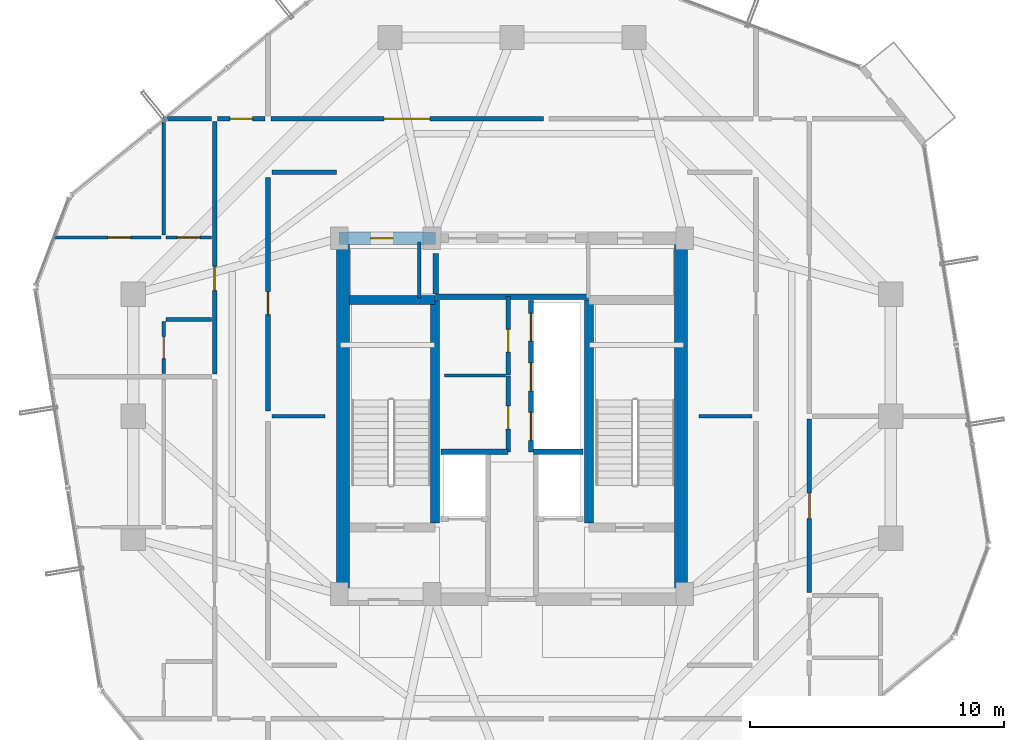
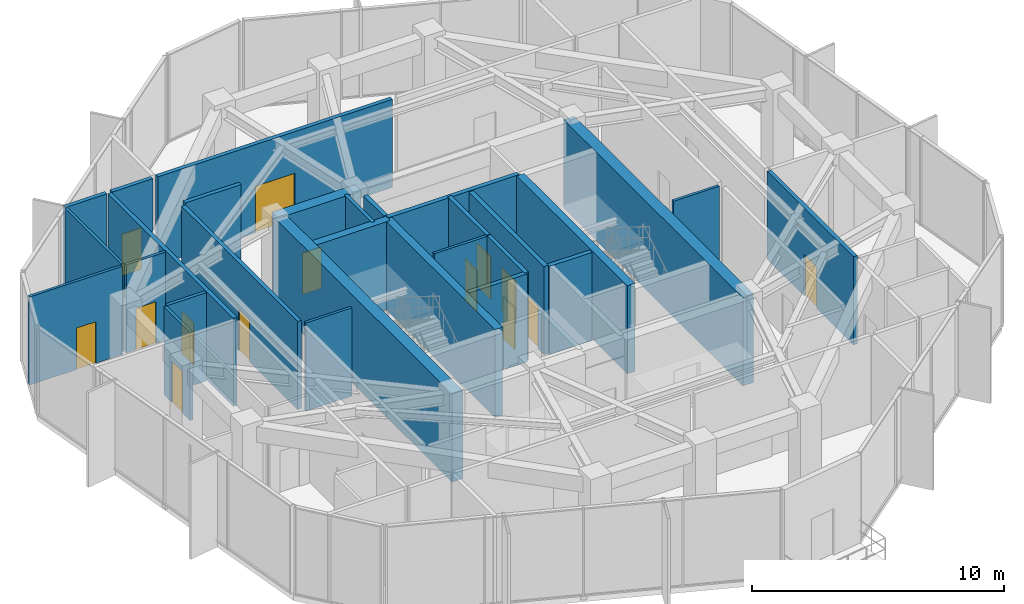
# One storey, part 19 of 22: 29 walls, 14 doors, 14 openings.
"""IFC4 building model written with IfcOpenShell, lengths in metres."""

import ifcopenshell
import ifcopenshell.guid

model = None  # the IFC model being written
_history = None  # IfcOwnerHistory: only IFC2X3 demands one
_inside = {}  # id of a spatial element -> (the spatial element, [elements in it])
_under = {}  # id of a project, library or spatial element -> (it, [spatial elements below it])
_declared = {}  # id of a project -> (the project, [libraries it declares])
_typed = {}  # id of a type object -> (the type object, [elements of that type])
_made_of = {}  # id of a material, layer set ... -> (it, [elements and type objects made of it])


def new_model(schema):
    """Start an empty IFC model of exactly this schema.

    Asked for "IFC4X3", IfcOpenShell would pick the latest addendum, in which some entities
    have other attributes; the version numbers below select the first issue.
    IFC2X3 requires an IfcOwnerHistory on every rooted entity: one is made here for all.
    """
    global model, _history
    if schema == "IFC4X3":
        model = ifcopenshell.file(schema_version=(4, 3, 0, 0))
    else:
        model = ifcopenshell.file(schema=schema)
    _inside.clear()
    _under.clear()
    _declared.clear()
    _typed.clear()
    _made_of.clear()
    _history = None
    if model.schema == "IFC2X3":
        org = make("IfcOrganization", Name="unknown")
        user = make(
            "IfcPersonAndOrganization",
            ThePerson=make("IfcPerson", FamilyName="unknown"),
            TheOrganization=org,
        )
        app = make(
            "IfcApplication",
            ApplicationDeveloper=org,
            Version="unknown",
            ApplicationFullName="unknown",
            ApplicationIdentifier="unknown",
        )
        _history = make(
            "IfcOwnerHistory",
            OwningUser=user,
            OwningApplication=app,
            ChangeAction="ADDED",
            CreationDate=0,
        )
    return model


def make(cls, **values):
    """One entity of the class cls with the attributes given. An attribute that is None is left unset."""
    return model.create_entity(
        cls, **{name: value for name, value in values.items() if value is not None}
    )


def rooted(cls, **values):
    """An entity with a GlobalId (a new one), such as an element, a storey or a relation."""
    return make(cls, GlobalId=ifcopenshell.guid.new(), OwnerHistory=_history, **values)


def si_unit(unit_type, name, prefix=None):
    """IfcSIUnit, for example si_unit("LENGTHUNIT", "METRE", prefix="MILLI")."""
    return make("IfcSIUnit", UnitType=unit_type, Prefix=prefix, Name=name)


def assignment(units):
    """IfcUnitAssignment: the units of a project."""
    return None if units is None else make("IfcUnitAssignment", Units=units)


def point(xyz):
    """IfcCartesianPoint."""
    return None if xyz is None else make("IfcCartesianPoint", Coordinates=xyz)


def direction(xyz):
    """IfcDirection."""
    return None if xyz is None else make("IfcDirection", DirectionRatios=xyz)


def frame(location, z_axis=None, x_axis=None):
    """IfcAxis2Placement3D, a coordinate frame: its origin and axes. An axis left out is left unset."""
    return make(
        "IfcAxis2Placement3D",
        Location=point(location),
        Axis=direction(z_axis),
        RefDirection=direction(x_axis),
    )


def frame_2d(location, x_axis=None):
    """IfcAxis2Placement2D, a coordinate frame in the plane: its origin and x axis."""
    return make(
        "IfcAxis2Placement2D", Location=point(location), RefDirection=direction(x_axis)
    )


def origin():
    """The frame at (0, 0, 0) with its axes left unset."""
    return frame((0.0, 0.0, 0.0))


def place(relative_to, where):
    """IfcLocalPlacement: puts the frame where relative to a parent placement (None: the world)."""
    return make(
        "IfcLocalPlacement", PlacementRelTo=relative_to, RelativePlacement=where
    )


def context(
    kind, dimensions, precision=None, world=None, true_north=None, identifier=None
):
    """IfcGeometricRepresentationContext, for example the 3D "Model" context."""
    return make(
        "IfcGeometricRepresentationContext",
        ContextIdentifier=identifier,
        ContextType=kind,
        CoordinateSpaceDimension=dimensions,
        Precision=precision,
        WorldCoordinateSystem=world,
        TrueNorth=true_north,
    )


def subcontext(parent, identifier, kind, view, scale=None):
    """IfcGeometricRepresentationSubContext, for example "Body" below "Model"."""
    return make(
        "IfcGeometricRepresentationSubContext",
        ContextIdentifier=identifier,
        ContextType=kind,
        ParentContext=parent,
        TargetScale=scale,
        TargetView=view,
    )


def project(units=None, contexts=None):
    """IfcProject with its units and contexts."""
    return rooted(
        "IfcProject",
        Name="project",
        RepresentationContexts=contexts,
        UnitsInContext=assignment(units),
    )


def spatial(cls, under=None, at=None, **own):
    """A site, building, storey or space (cls), placed at a placement, below another one or the project."""
    s = rooted(cls, ObjectPlacement=at, **own)
    if under is not None:
        _under.setdefault(under.id(), (under, []))[1].append(s)
    return s


def profile(cls, at=None, kind="AREA", **sizes):
    """A parametric profile (cls). Its sizes go by their IFC names, for example OverallWidth=200.0."""
    return make(cls, ProfileType=kind, Position=at, **sizes)


def rectangle(**sizes):
    """IfcRectangleProfileDef."""
    return profile("IfcRectangleProfileDef", **sizes)


def extrude(swept, where, along, depth):
    """IfcExtrudedAreaSolid: the profile swept, set in the frame where, extruded along a direction by depth."""
    return make(
        "IfcExtrudedAreaSolid",
        SweptArea=swept,
        Position=where,
        ExtrudedDirection=direction(along),
        Depth=depth,
    )


def shape(context_of_items, identifier, shape_type, items):
    """IfcShapeRepresentation: the items that make up one representation, for example the "Body"."""
    return make(
        "IfcShapeRepresentation",
        ContextOfItems=context_of_items,
        RepresentationIdentifier=identifier,
        RepresentationType=shape_type,
        Items=items,
    )


def source(mapping_origin, context_of_items, identifier, shape_type, items):
    """IfcRepresentationMap: a shape defined once, which mapped items show again and again."""
    return make(
        "IfcRepresentationMap",
        MappingOrigin=mapping_origin,
        MappedRepresentation=shape(context_of_items, identifier, shape_type, items),
    )


def transform(
    local_origin,
    x_axis=None,
    y_axis=None,
    z_axis=None,
    scale=None,
    scale2=None,
    scale3=None,
    uniform=True,
):
    """IfcCartesianTransformationOperator3D, or its non-uniform kind. x_axis, y_axis, z_axis: its Axis1, 2, 3."""
    if uniform:
        return make(
            "IfcCartesianTransformationOperator3D",
            Axis1=direction(x_axis),
            Axis2=direction(y_axis),
            LocalOrigin=point(local_origin),
            Scale=scale,
            Axis3=direction(z_axis),
        )
    return make(
        "IfcCartesianTransformationOperator3DnonUniform",
        Axis1=direction(x_axis),
        Axis2=direction(y_axis),
        LocalOrigin=point(local_origin),
        Scale=scale,
        Axis3=direction(z_axis),
        Scale2=scale2,
        Scale3=scale3,
    )


def mapped(mapping_source, mapping_target):
    """IfcMappedItem: shows the shape of a source again, moved by a transform."""
    return make(
        "IfcMappedItem", MappingSource=mapping_source, MappingTarget=mapping_target
    )


def material(Name=None, Category=None):
    """IfcMaterial."""
    return make("IfcMaterial", Name=Name, Category=Category)


def layer(
    of_material, thickness, ventilated=None, Name=None, Category=None, Priority=None
):
    """IfcMaterialLayer: one layer of a wall or slab, of a material (None: an air gap)."""
    return make(
        "IfcMaterialLayer",
        Material=of_material,
        LayerThickness=thickness,
        IsVentilated=ventilated,
        Name=Name,
        Category=Category,
        Priority=Priority,
    )


def layer_set(layers, Name=None):
    """IfcMaterialLayerSet."""
    return make("IfcMaterialLayerSet", MaterialLayers=layers, LayerSetName=Name)


def made_of(thing, what):
    """Note that an element or type object is made of a material, layer set ...; save() writes the relation."""
    if what is not None:
        _made_of.setdefault(what.id(), (what, []))[1].append(thing)
    return thing


def type_object(cls, material=None, **own):
    """A type object (cls), such as IfcWallType, which elements share."""
    return made_of(rooted(cls, **own), material)


def element(
    cls,
    number,
    at=None,
    inside=None,
    cuts=None,
    type_object=None,
    material=None,
    context=None,
    identifier="Body",
    shape_type=None,
    held_by="IfcProductDefinitionShape",
    body=None,
    shapes=None,
    **own,
):
    """One element of the class cls, such as IfcWall. Its Tag is "e" and its number.

    at: its placement. inside: the storey or other place that contains it. cuts: it is an
    opening in that element (IfcRelVoidsElement). A single representation is given by context,
    identifier, shape_type and body (its items); several are given by shapes. held_by: the class
    of the entity that holds the representations. save() writes the other relations.
    """
    e = rooted(cls, Tag="e%d" % number, ObjectPlacement=at, **own)
    if body is not None:
        shapes = [shape(context, identifier, shape_type, body)]
    if shapes is not None:
        e.Representation = make(held_by, Representations=shapes)
    if inside is not None:
        _inside.setdefault(inside.id(), (inside, []))[1].append(e)
    if cuts is not None:
        rooted(
            "IfcRelVoidsElement", RelatingBuildingElement=cuts, RelatedOpeningElement=e
        )
    if type_object is not None:
        _typed.setdefault(type_object.id(), (type_object, []))[1].append(e)
    return made_of(e, material)


def fill(opening, filler):
    """IfcRelFillsElement: the door or window that sits in an opening."""
    return rooted(
        "IfcRelFillsElement",
        RelatingOpeningElement=opening,
        RelatedBuildingElement=filler,
    )


def aggregate(whole, parts):
    """IfcRelAggregates: a whole, such as a stair, and the parts it consists of."""
    return rooted("IfcRelAggregates", RelatingObject=whole, RelatedObjects=parts)


def save(model, path):
    """Write the relations noted so far, then the file.

    IfcRelAggregates (storeys below a building ...), IfcRelContainedInSpatialStructure (elements
    in a storey), IfcRelDefinesByType, IfcRelAssociatesMaterial and IfcRelDeclares: one each for
    every whole, place, type object, material and project.
    """
    for whole, parts in _under.values():
        aggregate(whole, parts)
    for where, things in _inside.values():
        rooted(
            "IfcRelContainedInSpatialStructure",
            RelatedElements=things,
            RelatingStructure=where,
        )
    for kind, things in _typed.values():
        rooted("IfcRelDefinesByType", RelatedObjects=things, RelatingType=kind)
    for what, things in _made_of.values():
        rooted("IfcRelAssociatesMaterial", RelatedObjects=things, RelatingMaterial=what)
    for by, libraries in _declared.values():
        rooted("IfcRelDeclares", RelatingContext=by, RelatedDefinitions=libraries)
    model.write(path)


model = new_model("IFC4")

# Units and contexts
model_context = context("Model", 3, precision=1e-05, world=origin(), true_north=direction((0.0, 1.0)))
body_context = subcontext(model_context, "Body", "Model", "MODEL_VIEW")
ifc_project = project(units=[si_unit("LENGTHUNIT", "METRE"), si_unit("AREAUNIT", "SQUARE_METRE"), si_unit("VOLUMEUNIT", "CUBIC_METRE"), si_unit("PLANEANGLEUNIT", "RADIAN"), si_unit("MASSUNIT", "GRAM", prefix="KILO")], contexts=[model_context])

# Site, building, storey
site_placement = place(None, origin())
site = spatial("IfcSite", under=ifc_project, at=site_placement, CompositionType="ELEMENT")
building_placement = place(site_placement, origin())
building = spatial("IfcBuilding", under=site, at=building_placement, Name="Veraguas Prism Commons", CompositionType="ELEMENT")
storey_placement = place(building_placement, frame((0.0, 0.0, 174.35009765625)))
storey = spatial("IfcBuildingStorey", under=building, at=storey_placement, Name="L49", CompositionType="ELEMENT", Elevation=174.35009765625)

# Walls
ifc_material_1 = material(Name="Concrete C50/60", Category="concrete")
ifc_layer_1 = layer(ifc_material_1, 0.35009765625, Name="Core Internal Shear Wall Upper RC 350", Category="concrete")
ifc_layer_set_1 = layer_set([ifc_layer_1], Name="Concrete C50/60")
wall_type_1 = type_object("IfcWallType", Name="Core Internal Shear Wall Upper RC 350", PredefinedType="SHEAR", material=ifc_layer_set_1)
for number, where, z_axis, x_axis, name in (
    (1, (20.97509765625, 19.800048828125, 0.0), (0.0, 0.0, 1.0), (0.0, 1.0, 0.0), "Stair ST-01 Inner Shear Wall L49"),
    (2, (27.02490234375, 19.800048828125, 0.0), (0.0, 0.0, 1.0), (0.0, 1.0, 0.0), "Stair ST-02 Inner Shear Wall L49"),
):
    element("IfcWall", number, at=place(storey_placement, frame(where, z_axis=z_axis, x_axis=x_axis)), inside=storey, type_object=wall_type_1, Name=name, PredefinedType="SHEAR", context=body_context, shape_type="SweptSolid", body=[
        extrude(rectangle(XDim=8.77490234375, YDim=0.35009765625, at=frame_2d((4.387451171875, 0.0))), origin(), (0.0, 0.0, 1.0), 4.264892578125),
    ])
wall_1_placement = place(storey_placement, frame((17.60009765625, 28.574951171875, 0.0), z_axis=(0.0, 0.0, 1.0), x_axis=(1.0, 0.0, 0.0)))
element("IfcWall", 3, at=wall_1_placement, inside=storey, type_object=wall_type_1, Name="Stair ST-01 North Shear Wall L49", PredefinedType="SHEAR", context=body_context, shape_type="SweptSolid", body=[
    extrude(rectangle(XDim=3.375, YDim=0.35009765625, at=frame_2d((1.6875, 0.0))), origin(), (0.0, 0.0, 1.0), 4.264892578125),
])
ifc_layer_2 = layer(ifc_material_1, 0.5, Name="Core Outer Shear Wall Upper RC 500", Category="concrete")
ifc_layer_set_2 = layer_set([ifc_layer_2], Name="Concrete C50/60")
wall_type_2 = type_object("IfcWallType", Name="Core Outer Shear Wall Upper RC 500", PredefinedType="SHEAR", material=ifc_layer_set_2)
for number, where, z_axis, x_axis, name in (
    (4, (17.35009765625, 16.800048828125, 0.0), (0.0, 0.0, 1.0), (0.0, 1.0, 0.0), "Central Core West Shear Wall L49"),
    (5, (30.64990234375, 16.800048828125, 0.0), (0.0, 0.0, 1.0), (0.0, 1.0, 0.0), "Central Core East Shear Wall L49"),
):
    element("IfcWall", number, at=place(storey_placement, frame(where, z_axis=z_axis, x_axis=x_axis)), inside=storey, type_object=wall_type_2, Name=name, PredefinedType="SHEAR", context=body_context, shape_type="SweptSolid", body=[
        extrude(rectangle(XDim=14.199951171875, YDim=0.5, at=frame_2d((7.10009765625, 0.0))), origin(), (0.0, 0.0, 1.0), 4.264892578125),
    ])

# Wall, opening, door
wall_2_placement = place(storey_placement, frame((17.199951171875, 31.0, 0.0), z_axis=(0.0, 0.0, 1.0), x_axis=(1.0, 0.0, 0.0)))
wall_2 = element("IfcWall", 6, at=wall_2_placement, inside=storey, type_object=wall_type_2, Name="Central Core North-West Shear Wall L49", PredefinedType="SHEAR", context=body_context, shape_type="SweptSolid", body=[
    extrude(rectangle(XDim=3.800048828125, YDim=0.5, at=frame_2d((1.89990234375, 0.0))), origin(), (0.0, 0.0, 1.0), 4.264892578125),
])
opening_1_placement = place(wall_2_placement, frame((1.25, 0.0, 0.0)))
opening_1 = element("IfcOpeningElement", 7, at=opening_1_placement, cuts=wall_2, Name="Opening DR-12", PredefinedType="OPENING", context=body_context, shape_type="SweptSolid", body=[
    extrude(rectangle(XDim=0.860107421875, YDim=2.010009765625, at=frame_2d((0.43017578125, 1.0048828125))), frame((0.0, 0.260009765625, 0.0), z_axis=(0.0, -1.0, 0.0), x_axis=(1.0, 0.0, 0.0)), (0.0, 0.0, 1.0), 0.52001953125),
])
ifc_material_2 = material(Name="Steel fire-rated door assembly", Category="steel")
door_type_1 = type_object("IfcDoorType", Name="Core WC Fire Door 860x2010", OperationType="NOTDEFINED", PredefinedType="DOOR", material=ifc_material_2)
shared_shape_1 = source(origin(), body_context, "Body", "SweptSolid", [
    extrude(rectangle(XDim=0.860107421875, YDim=2.010009765625, at=frame_2d((0.43017578125, 1.0048828125))), frame((0.0, 0.02490234375, 0.0), z_axis=(0.0, -1.0, 0.0), x_axis=(1.0, 0.0, 0.0)), (0.0, 0.0, 1.0), 0.050048828125),
])
door_1_placement = place(opening_1_placement, origin())
door_1 = element("IfcDoor", 8, at=door_1_placement, inside=storey, type_object=door_type_1, Name="Core NW Service Door L49", OperationType="SINGLE_SWING_RIGHT", OverallHeight=2.010009765625, OverallWidth=0.860107421875, PredefinedType="DOOR", context=body_context, shape_type="MappedRepresentation", body=[
    mapped(shared_shape_1, transform((0.0, 0.0, 0.0), scale=1.0)),
])
fill(opening_1, door_1)

ifc_material_3 = material(Name="Autoclaved aerated masonry block 10 MPa", Category="masonry")
ifc_layer_3 = layer(ifc_material_3, 0.179931640625, Name="Corridor and Inter-Tenancy Partition 180", Category="masonry")
ifc_layer_set_3 = layer_set([ifc_layer_3], Name="Autoclaved aerated masonry block 10 MPa")
wall_type_3 = type_object("IfcWallType", Name="Corridor and Inter-Tenancy Partition 180", PredefinedType="PARTITIONING", material=ifc_layer_set_3)
wall_3_placement = place(storey_placement, frame((23.85009765625, 22.60009765625, 0.0), z_axis=(0.0, 0.0, 1.0), x_axis=(0.0, 1.0, 0.0)))
wall_3 = element("IfcWall", 9, at=wall_3_placement, inside=storey, type_object=wall_type_3, Name="Co-op Pantry Partition L49", PredefinedType="PARTITIONING", context=body_context, shape_type="SweptSolid", body=[
    extrude(rectangle(XDim=2.97998046875, YDim=0.179931640625, at=frame_2d((1.489990234375, 0.0))), origin(), (0.0, 0.0, 1.0), 4.264892578125),
])
opening_2_placement = place(wall_3_placement, frame((0.89990234375, 0.0, 0.0)))
opening_2 = element("IfcOpeningElement", 10, at=opening_2_placement, cuts=wall_3, Name="Opening DR-14", PredefinedType="OPENING", context=body_context, shape_type="SweptSolid", body=[
    extrude(rectangle(XDim=0.89990234375, YDim=2.010009765625, at=frame_2d((0.449951171875, 1.0048828125))), frame((0.0, 0.099853515625, 0.0), z_axis=(0.0, -1.0, 0.0), x_axis=(1.0, 0.0, 0.0)), (0.0, 0.0, 1.0), 0.199951171875),
])
door_type_2 = type_object("IfcDoorType", Name="Core Service Room Fire Door 900x2010", OperationType="NOTDEFINED", PredefinedType="DOOR", material=ifc_material_2)
shared_shape_2 = source(origin(), body_context, "Body", "SweptSolid", [
    extrude(rectangle(XDim=0.89990234375, YDim=2.010009765625, at=frame_2d((0.449951171875, 1.0048828125))), frame((0.0, 0.02490234375, 0.0), z_axis=(0.0, -1.0, 0.0), x_axis=(1.0, 0.0, 0.0)), (0.0, 0.0, 1.0), 0.050048828125),
])
door_2_placement = place(opening_2_placement, origin())
door_2 = element("IfcDoor", 11, at=door_2_placement, inside=storey, type_object=door_type_2, Name="Co-op Pantry Door L49", OperationType="SINGLE_SWING_RIGHT", OverallHeight=2.010009765625, OverallWidth=0.89990234375, PredefinedType="DOOR", context=body_context, shape_type="MappedRepresentation", body=[
    mapped(shared_shape_2, transform((0.0, 0.0, 0.0), scale=1.0)),
])
fill(opening_2, door_2)

wall_4_placement = place(storey_placement, frame((23.85009765625, 25.6201171875, 0.0), z_axis=(0.0, 0.0, 1.0), x_axis=(0.0, 1.0, 0.0)))
wall_4 = element("IfcWall", 12, at=wall_4_placement, inside=storey, type_object=wall_type_3, Name="Bookshop Alcove Partition L49", PredefinedType="PARTITIONING", context=body_context, shape_type="SweptSolid", body=[
    extrude(rectangle(XDim=3.079833984375, YDim=0.179931640625, at=frame_2d((1.5400390625, 0.0))), origin(), (0.0, 0.0, 1.0), 4.264892578125),
])
opening_3_placement = place(wall_4_placement, frame((0.89990234375, 0.0, 0.0)))
opening_3 = element("IfcOpeningElement", 13, at=opening_3_placement, cuts=wall_4, Name="Opening DR-14", PredefinedType="OPENING", context=body_context, shape_type="SweptSolid", body=[
    extrude(rectangle(XDim=0.89990234375, YDim=2.010009765625, at=frame_2d((0.449951171875, 1.0048828125))), frame((0.0, 0.099853515625, 0.0), z_axis=(0.0, -1.0, 0.0), x_axis=(1.0, 0.0, 0.0)), (0.0, 0.0, 1.0), 0.199951171875),
])
door_3_placement = place(opening_3_placement, origin())
door_3 = element("IfcDoor", 14, at=door_3_placement, inside=storey, type_object=door_type_2, Name="Bookshop Alcove Door L49", OperationType="SINGLE_SWING_LEFT", OverallHeight=2.010009765625, OverallWidth=0.89990234375, PredefinedType="DOOR", context=body_context, shape_type="MappedRepresentation", body=[
    mapped(shared_shape_2, transform((0.0, 0.0, 0.0), scale=1.0)),
])
fill(opening_3, door_3)

wall_5_placement = place(storey_placement, frame((14.39990234375, 24.199951171875, 0.0), z_axis=(0.0, 0.0, 1.0), x_axis=(0.0, 1.0, 0.0)))
wall_5 = element("IfcWall", 15, at=wall_5_placement, inside=storey, type_object=wall_type_3, Name="WL-L49-IRW2", PredefinedType="PARTITIONING", context=body_context, shape_type="SweptSolid", body=[
    extrude(rectangle(XDim=9.199951171875, YDim=0.179931640625, at=frame_2d((4.60009765625, 0.0))), origin(), (0.0, 0.0, 1.0), 4.264892578125),
])
opening_4_placement = place(wall_5_placement, frame((3.800048828125, 0.0, 0.0)))
opening_4 = element("IfcOpeningElement", 16, at=opening_4_placement, cuts=wall_5, Name="Opening DR-14", PredefinedType="OPENING", context=body_context, shape_type="SweptSolid", body=[
    extrude(rectangle(XDim=0.89990234375, YDim=2.010009765625, at=frame_2d((0.449951171875, 1.0048828125))), frame((0.0, 0.099853515625, 0.0), z_axis=(0.0, -1.0, 0.0), x_axis=(1.0, 0.0, 0.0)), (0.0, 0.0, 1.0), 0.199951171875),
])
door_4_placement = place(opening_4_placement, origin())
door_4 = element("IfcDoor", 17, at=door_4_placement, inside=storey, type_object=door_type_2, Name="Co-op Cycle and Pram Store Door L49", OperationType="SINGLE_SWING_LEFT", OverallHeight=2.010009765625, OverallWidth=0.89990234375, PredefinedType="DOOR", context=body_context, shape_type="MappedRepresentation", body=[
    mapped(shared_shape_2, transform((0.0, 0.0, 0.0), scale=1.0)),
])
fill(opening_4, door_4)

# Wall
wall_6_placement = place(storey_placement, frame((14.550048828125, 33.60009765625, 0.0), z_axis=(0.0, 0.0, 1.0), x_axis=(1.0, 0.0, 0.0)))
element("IfcWall", 18, at=wall_6_placement, inside=storey, type_object=wall_type_3, Name="WL-L49-IRWN", PredefinedType="PARTITIONING", context=body_context, shape_type="SweptSolid", body=[
    extrude(rectangle(XDim=2.550048828125, YDim=0.179931640625, at=frame_2d((1.27490234375, 0.0))), origin(), (0.0, 0.0, 1.0), 4.264892578125),
])

# Wall, opening, door
wall_7_placement = place(storey_placement, frame((14.510009765625, 35.699951171875, 0.0), z_axis=(0.0, 0.0, 1.0), x_axis=(1.0, 0.0, 0.0)))
wall_7 = element("IfcWall", 19, at=wall_7_placement, inside=storey, type_object=wall_type_3, Name="WL-L49-PT007", PredefinedType="PARTITIONING", context=body_context, shape_type="SweptSolid", body=[
    extrude(rectangle(XDim=10.723876953125, YDim=0.179931640625, at=frame_2d((5.36181640625, 0.0))), origin(), (0.0, 0.0, 1.0), 4.264892578125),
])
opening_5_placement = place(wall_7_placement, frame((4.4619140625, 0.0, 0.0)))
opening_5 = element("IfcOpeningElement", 20, at=opening_5_placement, cuts=wall_7, Name="Opening DR-07", PredefinedType="OPENING", context=body_context, shape_type="SweptSolid", body=[
    extrude(rectangle(XDim=1.800048828125, YDim=2.25, at=frame_2d((0.89990234375, 1.125))), frame((0.0, 0.099853515625, 0.0), z_axis=(0.0, -1.0, 0.0), x_axis=(1.0, 0.0, 0.0)), (0.0, 0.0, 1.0), 0.199951171875),
])
door_type_3 = type_object("IfcDoorType", Name="Corridor Double Fire Door 1800x2250", OperationType="NOTDEFINED", PredefinedType="DOOR", material=ifc_material_2)
shared_shape_3 = source(origin(), body_context, "Body", "SweptSolid", [
    extrude(rectangle(XDim=1.800048828125, YDim=2.25, at=frame_2d((0.89990234375, 1.125))), frame((0.0, 0.02490234375, 0.0), z_axis=(0.0, -1.0, 0.0), x_axis=(1.0, 0.0, 0.0)), (0.0, 0.0, 1.0), 0.050048828125),
])
door_5_placement = place(opening_5_placement, origin())
door_5 = element("IfcDoor", 21, at=door_5_placement, inside=storey, type_object=door_type_3, Name="Sky Lobby and Observation Concourse L49 Door 1", OperationType="SINGLE_SWING_RIGHT", OverallHeight=2.25, OverallWidth=1.800048828125, PredefinedType="DOOR", context=body_context, shape_type="MappedRepresentation", body=[
    mapped(shared_shape_3, transform((0.0, 0.0, 0.0), scale=1.0)),
])
fill(opening_5, door_5)

# Wall
wall_8_placement = place(storey_placement, frame((12.179931640625, 35.699951171875, 0.0), z_axis=(0.0, 0.0, 1.0), x_axis=(-1.0, 0.0, 0.0)))
element("IfcWall", 22, at=wall_8_placement, inside=storey, type_object=wall_type_3, Name="WL-L49-PT010", PredefinedType="PARTITIONING", context=body_context, shape_type="SweptSolid", body=[
    extrude(rectangle(XDim=1.90283203125, YDim=0.179931640625, at=frame_2d((0.951416015625, 0.0))), origin(), (0.0, 0.0, 1.0), 4.264892578125),
])

# Wall, opening, door
wall_9_placement = place(storey_placement, frame((12.300048828125, 25.662109375, 0.0), z_axis=(0.0, 0.0, 1.0), x_axis=(0.0, 1.0, 0.0)))
wall_9 = element("IfcWall", 23, at=wall_9_placement, inside=storey, type_object=wall_type_3, Name="WL-L49-PT018", PredefinedType="PARTITIONING", context=body_context, shape_type="SweptSolid", body=[
    extrude(rectangle(XDim=9.927978515625, YDim=0.179931640625, at=frame_2d((4.9638671875, 0.0))), origin(), (0.0, 0.0, 1.0), 4.264892578125),
])
opening_6_placement = place(wall_9_placement, frame((3.280029296875, 0.0, 0.0)))
opening_6 = element("IfcOpeningElement", 24, at=opening_6_placement, cuts=wall_9, Name="Opening DR-01", PredefinedType="OPENING", context=body_context, shape_type="SweptSolid", body=[
    extrude(rectangle(XDim=0.949951171875, YDim=2.02001953125, at=frame_2d((0.47509765625, 1.010009765625))), frame((0.0, 0.099853515625, 0.0), z_axis=(0.0, -1.0, 0.0), x_axis=(1.0, 0.0, 0.0)), (0.0, 0.0, 1.0), 0.199951171875),
])
ifc_material_4 = material(Name="Anodised aluminium EN AW-6063 T6", Category="aluminium")
door_type_4 = type_object("IfcDoorType", Name="Apartment Entrance Fire Door 950x2020", OperationType="NOTDEFINED", PredefinedType="DOOR", material=ifc_material_4)
shared_shape_4 = source(origin(), body_context, "Body", "SweptSolid", [
    extrude(rectangle(XDim=0.949951171875, YDim=2.02001953125, at=frame_2d((0.47509765625, 1.010009765625))), frame((0.0, 0.02490234375, 0.0), z_axis=(0.0, -1.0, 0.0), x_axis=(1.0, 0.0, 0.0)), (0.0, 0.0, 1.0), 0.050048828125),
])
door_6_placement = place(opening_6_placement, origin())
door_6 = element("IfcDoor", 25, at=door_6_placement, inside=storey, type_object=door_type_4, Name="Flat 49B Entrance Door", OperationType="SINGLE_SWING_RIGHT", OverallHeight=2.02001953125, OverallWidth=0.949951171875, PredefinedType="DOOR", context=body_context, shape_type="MappedRepresentation", body=[
    mapped(shared_shape_4, transform((0.0, 0.0, 0.0), scale=1.0)),
])
fill(opening_6, door_6)

wall_10_placement = place(storey_placement, frame((35.699951171875, 17.06005859375, 0.0), z_axis=(0.0, 0.0, 1.0), x_axis=(0.0, 1.0, 0.0)))
wall_10 = element("IfcWall", 26, at=wall_10_placement, inside=storey, type_object=wall_type_3, Name="WL-L49-PT028", PredefinedType="PARTITIONING", context=body_context, shape_type="SweptSolid", body=[
    extrude(rectangle(XDim=6.829833984375, YDim=0.179931640625, at=frame_2d((3.4150390625, 0.0))), origin(), (0.0, 0.0, 1.0), 4.264892578125),
])
opening_7_placement = place(wall_10_placement, frame((2.9150390625, 0.0, 0.0)))
opening_7 = element("IfcOpeningElement", 27, at=opening_7_placement, cuts=wall_10, Name="Opening DR-13", PredefinedType="OPENING", context=body_context, shape_type="SweptSolid", body=[
    extrude(rectangle(XDim=1.0, YDim=2.010009765625, at=frame_2d((0.5, 1.0048828125))), frame((0.0, 0.099853515625, 0.0), z_axis=(0.0, -1.0, 0.0), x_axis=(1.0, 0.0, 0.0)), (0.0, 0.0, 1.0), 0.199951171875),
])
door_type_5 = type_object("IfcDoorType", Name="Core Accessible WC and Clinic Fire Door 1000x2010", OperationType="NOTDEFINED", PredefinedType="DOOR", material=ifc_material_2)
shared_shape_5 = source(origin(), body_context, "Body", "SweptSolid", [
    extrude(rectangle(XDim=1.0, YDim=2.010009765625, at=frame_2d((0.5, 1.0048828125))), frame((0.0, 0.02490234375, 0.0), z_axis=(0.0, -1.0, 0.0), x_axis=(1.0, 0.0, 0.0)), (0.0, 0.0, 1.0), 0.050048828125),
])
door_7_placement = place(opening_7_placement, origin())
door_7 = element("IfcDoor", 28, at=door_7_placement, inside=storey, type_object=door_type_5, Name="Quiet Study L49 Door", OperationType="SINGLE_SWING_RIGHT", OverallHeight=2.010009765625, OverallWidth=1.0, PredefinedType="DOOR", context=body_context, shape_type="MappedRepresentation", body=[
    mapped(shared_shape_5, transform((0.0, 0.0, 0.0), scale=1.0)),
])
fill(opening_7, door_7)

wall_11_placement = place(storey_placement, frame((12.419921875, 35.699951171875, 0.0), z_axis=(0.0, 0.0, 1.0), x_axis=(1.0, 0.0, 0.0)))
wall_11 = element("IfcWall", 29, at=wall_11_placement, inside=storey, type_object=wall_type_3, Name="WL-L49-PT037", PredefinedType="PARTITIONING", context=body_context, shape_type="SweptSolid", body=[
    extrude(rectangle(XDim=1.860107421875, YDim=0.179931640625, at=frame_2d((0.93017578125, 0.0))), origin(), (0.0, 0.0, 1.0), 4.264892578125),
])
opening_8_placement = place(wall_11_placement, frame((0.47998046875, 0.0, 0.0)))
opening_8 = element("IfcOpeningElement", 30, at=opening_8_placement, cuts=wall_11, Name="Opening DR-14", PredefinedType="OPENING", context=body_context, shape_type="SweptSolid", body=[
    extrude(rectangle(XDim=0.89990234375, YDim=2.010009765625, at=frame_2d((0.449951171875, 1.0048828125))), frame((0.0, 0.099853515625, 0.0), z_axis=(0.0, -1.0, 0.0), x_axis=(1.0, 0.0, 0.0)), (0.0, 0.0, 1.0), 0.199951171875),
])
door_8_placement = place(opening_8_placement, origin())
door_8 = element("IfcDoor", 31, at=door_8_placement, inside=storey, type_object=door_type_2, Name="Residents Corner Study Room NW Door", OperationType="SINGLE_SWING_RIGHT", OverallHeight=2.010009765625, OverallWidth=0.89990234375, PredefinedType="DOOR", context=body_context, shape_type="MappedRepresentation", body=[
    mapped(shared_shape_2, transform((0.0, 0.0, 0.0), scale=1.0)),
])
fill(opening_8, door_8)

# Walls
ifc_material_5 = material(Name="Lightweight acoustic gypsum board")
ifc_layer_4 = layer(ifc_material_5, 0.125, Name="Internal Apartment Room Partition 125")
ifc_layer_set_4 = layer_set([ifc_layer_4], Name="Lightweight acoustic gypsum board")
wall_type_4 = type_object("IfcWallType", Name="Internal Apartment Room Partition 125", PredefinedType="PARTITIONING", material=ifc_layer_set_4)
wall_12_placement = place(storey_placement, frame((21.35009765625, 25.60009765625, 0.0), z_axis=(0.0, 0.0, 1.0), x_axis=(1.0, 0.0, 0.0)))
element("IfcWall", 32, at=wall_12_placement, inside=storey, type_object=wall_type_4, Name="WL-L49-FRWLM", PredefinedType="PARTITIONING", context=body_context, shape_type="SweptSolid", body=[
    extrude(rectangle(XDim=2.39990234375, YDim=0.125, at=frame_2d((1.199951171875, 0.0))), origin(), (0.0, 0.0, 1.0), 4.264892578125),
])
for number, where, z_axis, x_axis, name in (
    (33, (14.550048828125, 24.0, 0.0), (0.0, 0.0, 1.0), (1.0, 0.0, 0.0), "WL-L49-IRWM"),
    (34, (31.35009765625, 24.0, 0.0), (0.0, 0.0, 1.0), (1.0, 0.0, 0.0), "WL-L49-IREM"),
):
    element("IfcWall", number, at=place(storey_placement, frame(where, z_axis=z_axis, x_axis=x_axis)), inside=storey, type_object=wall_type_4, Name=name, PredefinedType="PARTITIONING", context=body_context, shape_type="SweptSolid", body=[
        extrude(rectangle(XDim=2.099853515625, YDim=0.125, at=frame_2d((1.0498046875, 0.0))), origin(), (0.0, 0.0, 1.0), 4.264892578125),
    ])

# Wall, opening, door
wall_13_placement = place(storey_placement, frame((10.300048828125, 25.672119140625, 0.0), z_axis=(0.0, 0.0, 1.0), x_axis=(0.0, 1.0, 0.0)))
wall_13 = element("IfcWall", 35, at=wall_13_placement, inside=storey, type_object=wall_type_4, Name="WL-L49-PT020", PredefinedType="PARTITIONING", context=body_context, shape_type="SweptSolid", body=[
    extrude(rectangle(XDim=2.0498046875, YDim=0.125, at=frame_2d((1.02490234375, 0.0))), origin(), (0.0, 0.0, 1.0), 4.264892578125),
])
opening_9_placement = place(wall_13_placement, frame((0.594970703125, 0.0, 0.0)))
opening_9 = element("IfcOpeningElement", 36, at=opening_9_placement, cuts=wall_13, Name="Opening DR-03", PredefinedType="OPENING", context=body_context, shape_type="SweptSolid", body=[
    extrude(rectangle(XDim=0.860107421875, YDim=2.010009765625, at=frame_2d((0.43017578125, 1.0048828125))), frame((0.0, 0.072509765625, 0.0), z_axis=(0.0, -1.0, 0.0), x_axis=(1.0, 0.0, 0.0)), (0.0, 0.0, 1.0), 0.14501953125),
])
ifc_material_6 = material(Name="Timber moisture-resistant leaf", Category="wood")
door_type_6 = type_object("IfcDoorType", Name="Internal Bathroom Door 860x2010", OperationType="NOTDEFINED", PredefinedType="DOOR", material=ifc_material_6)
door_9_placement = place(opening_9_placement, origin())
door_9 = element("IfcDoor", 37, at=door_9_placement, inside=storey, type_object=door_type_6, Name="Flat 49B Bathroom Door", OperationType="SINGLE_SWING_LEFT", OverallHeight=2.010009765625, OverallWidth=0.860107421875, PredefinedType="DOOR", context=body_context, shape_type="MappedRepresentation", body=[
    mapped(shared_shape_1, transform((0.0, 0.0, 0.0), scale=1.0)),
])
fill(opening_9, door_9)

wall_14_placement = place(storey_placement, frame((12.179931640625, 31.031982421875, 0.0), z_axis=(0.0, 0.0, 1.0), x_axis=(-1.0, 0.0, 0.0)))
wall_14 = element("IfcWall", 38, at=wall_14_placement, inside=storey, type_object=wall_type_4, Name="WL-L49-PT021", PredefinedType="PARTITIONING", context=body_context, shape_type="SweptSolid", body=[
    extrude(rectangle(XDim=1.800048828125, YDim=0.125, at=frame_2d((0.89990234375, 0.0))), origin(), (0.0, 0.0, 1.0), 4.264892578125),
])
opening_10_placement = place(wall_14_placement, frame((0.449951171875, 0.0, 0.0)))
opening_10 = element("IfcOpeningElement", 39, at=opening_10_placement, cuts=wall_14, Name="Opening DR-02", PredefinedType="OPENING", context=body_context, shape_type="SweptSolid", body=[
    extrude(rectangle(XDim=0.89990234375, YDim=2.010009765625, at=frame_2d((0.449951171875, 1.0048828125))), frame((0.0, 0.072509765625, 0.0), z_axis=(0.0, -1.0, 0.0), x_axis=(1.0, 0.0, 0.0)), (0.0, 0.0, 1.0), 0.14501953125),
])
ifc_material_7 = material(Name="Timber solid core hardwood", Category="wood")
door_type_7 = type_object("IfcDoorType", Name="Internal Habitable Room Door 900x2010", OperationType="NOTDEFINED", PredefinedType="DOOR", material=ifc_material_7)
door_10_placement = place(opening_10_placement, origin())
door_10 = element("IfcDoor", 40, at=door_10_placement, inside=storey, type_object=door_type_7, Name="Flat 49B Kitchen Door", OperationType="SINGLE_SWING_RIGHT", OverallHeight=2.010009765625, OverallWidth=0.89990234375, PredefinedType="DOOR", context=body_context, shape_type="MappedRepresentation", body=[
    mapped(shared_shape_2, transform((0.0, 0.0, 0.0), scale=1.0)),
])
fill(opening_10, door_10)

# Wall
wall_15_placement = place(storey_placement, frame((10.300048828125, 31.132080078125, 0.0), z_axis=(0.0, 0.0, 1.0), x_axis=(0.0, 1.0, 0.0)))
element("IfcWall", 41, at=wall_15_placement, inside=storey, type_object=wall_type_4, Name="WL-L49-PT022", PredefinedType="PARTITIONING", context=body_context, shape_type="SweptSolid", body=[
    extrude(rectangle(XDim=4.447998046875, YDim=0.125, at=frame_2d((2.22412109375, 0.0))), origin(), (0.0, 0.0, 1.0), 4.264892578125),
])

# Wall, opening, door
wall_16_placement = place(storey_placement, frame((10.199951171875, 31.031982421875, 0.0), z_axis=(0.0, 0.0, 1.0), x_axis=(-1.0, 0.0, 0.0)))
wall_16 = element("IfcWall", 42, at=wall_16_placement, inside=storey, type_object=wall_type_4, Name="WL-L49-PT023", PredefinedType="PARTITIONING", context=body_context, shape_type="SweptSolid", body=[
    extrude(rectangle(XDim=4.25244140625, YDim=0.125, at=frame_2d((2.126220703125, 0.0))), origin(), (0.0, 0.0, 1.0), 4.264892578125),
])
opening_11_placement = place(wall_16_placement, frame((1.203857421875, 0.0, 0.0)))
opening_11 = element("IfcOpeningElement", 43, at=opening_11_placement, cuts=wall_16, Name="Opening DR-02", PredefinedType="OPENING", context=body_context, shape_type="SweptSolid", body=[
    extrude(rectangle(XDim=0.89990234375, YDim=2.010009765625, at=frame_2d((0.449951171875, 1.0048828125))), frame((0.0, 0.072509765625, 0.0), z_axis=(0.0, -1.0, 0.0), x_axis=(1.0, 0.0, 0.0)), (0.0, 0.0, 1.0), 0.14501953125),
])
door_11_placement = place(opening_11_placement, origin())
door_11 = element("IfcDoor", 44, at=door_11_placement, inside=storey, type_object=door_type_7, Name="Flat 49B Bedroom 1 Door", OperationType="SINGLE_SWING_LEFT", OverallHeight=2.010009765625, OverallWidth=0.89990234375, PredefinedType="DOOR", context=body_context, shape_type="MappedRepresentation", body=[
    mapped(shared_shape_2, transform((0.0, 0.0, 0.0), scale=1.0)),
])
fill(opening_11, door_11)

# Walls
ifc_layer_5 = layer(ifc_material_3, 0.199951171875, Name="Rated Shaft and Lobby Block Wall 200", Category="masonry")
ifc_layer_set_5 = layer_set([ifc_layer_5], Name="Autoclaved aerated masonry block 10 MPa")
wall_type_5 = type_object("IfcWallType", Name="Rated Shaft and Lobby Block Wall 200", PredefinedType="SOLIDWALL", material=ifc_layer_set_5)
wall_17_placement = place(storey_placement, frame((21.199951171875, 22.60009765625, 0.0), z_axis=(0.0, 0.0, 1.0), x_axis=(1.0, 0.0, 0.0)))
element("IfcWall", 45, at=wall_17_placement, inside=storey, type_object=wall_type_5, Name="Firefighting Lift FFL-1 Rear Wall L49", PredefinedType="SOLIDWALL", context=body_context, shape_type="SweptSolid", body=[
    extrude(rectangle(XDim=2.650146484375, YDim=0.199951171875, at=frame_2d((1.3251953125, 0.0))), origin(), (0.0, 0.0, 1.0), 4.264892578125),
])
wall_18_placement = place(storey_placement, frame((24.85009765625, 22.60009765625, 0.0), z_axis=(0.0, 0.0, 1.0), x_axis=(1.0, 0.0, 0.0)))
element("IfcWall", 46, at=wall_18_placement, inside=storey, type_object=wall_type_5, Name="Firefighting Lift FFL-2 Rear Wall L49", PredefinedType="SOLIDWALL", context=body_context, shape_type="SweptSolid", body=[
    extrude(rectangle(XDim=1.949951171875, YDim=0.199951171875, at=frame_2d((0.97509765625, 0.0))), origin(), (0.0, 0.0, 1.0), 4.264892578125),
])
wall_19_placement = place(storey_placement, frame((21.0, 28.699951171875, 0.0), z_axis=(0.0, 0.0, 1.0), x_axis=(1.0, 0.0, 0.0)))
element("IfcWall", 47, at=wall_19_placement, inside=storey, type_object=wall_type_5, Name="High-Rise Lift Bank Rear Shaft Wall L49", PredefinedType="SOLIDWALL", context=body_context, shape_type="SweptSolid", body=[
    extrude(rectangle(XDim=6.0, YDim=0.199951171875, at=frame_2d((3.0, 0.0))), origin(), (0.0, 0.0, 1.0), 4.264892578125),
])
wall_20_placement = place(storey_placement, frame((21.0, 28.800048828125, 0.0), z_axis=(0.0, 0.0, 1.0), x_axis=(0.0, 1.0, 0.0)))
element("IfcWall", 48, at=wall_20_placement, inside=storey, type_object=wall_type_5, Name="High-Rise Lift Bank West Shaft Wall L49", PredefinedType="SOLIDWALL", context=body_context, shape_type="SweptSolid", body=[
    extrude(rectangle(XDim=1.599853515625, YDim=0.199951171875, at=frame_2d((0.7998046875, 0.0))), origin(), (0.0, 0.0, 1.0), 4.264892578125),
])

# Wall, openings, doors
wall_21_placement = place(storey_placement, frame((24.75, 22.60009765625, 0.0), z_axis=(0.0, 0.0, 1.0), x_axis=(0.0, 1.0, 0.0)))
wall_21 = element("IfcWall", 49, at=wall_21_placement, inside=storey, type_object=wall_type_5, Name="Mid-Rise Lift Bank Front Wall L49", PredefinedType="SOLIDWALL", context=body_context, shape_type="SweptSolid", body=[
    extrude(rectangle(XDim=5.949951171875, YDim=0.199951171875, at=frame_2d((2.97509765625, 0.0))), origin(), (0.0, 0.0, 1.0), 4.264892578125),
])
opening_12_placement = place(wall_21_placement, frame((0.449951171875, 0.0, 0.0)))
opening_12 = element("IfcOpeningElement", 50, at=opening_12_placement, cuts=wall_21, Name="Opening LD-01", PredefinedType="OPENING", context=body_context, shape_type="SweptSolid", body=[
    extrude(rectangle(XDim=1.10009765625, YDim=2.080078125, at=frame_2d((0.550048828125, 1.0400390625))), frame((0.0, 0.10986328125, 0.0), z_axis=(0.0, -1.0, 0.0), x_axis=(1.0, 0.0, 0.0)), (0.0, 0.0, 1.0), 0.219970703125),
])
opening_13_placement = place(wall_21_placement, frame((2.39990234375, 0.0, 0.0)))
opening_13 = element("IfcOpeningElement", 51, at=opening_13_placement, cuts=wall_21, Name="Opening LD-01", PredefinedType="OPENING", context=body_context, shape_type="SweptSolid", body=[
    extrude(rectangle(XDim=1.10009765625, YDim=2.080078125, at=frame_2d((0.550048828125, 1.0400390625))), frame((0.0, 0.10986328125, 0.0), z_axis=(0.0, -1.0, 0.0), x_axis=(1.0, 0.0, 0.0)), (0.0, 0.0, 1.0), 0.219970703125),
])
opening_14_placement = place(wall_21_placement, frame((4.35009765625, 0.0, 0.0)))
opening_14 = element("IfcOpeningElement", 52, at=opening_14_placement, cuts=wall_21, Name="Opening LD-01", PredefinedType="OPENING", context=body_context, shape_type="SweptSolid", body=[
    extrude(rectangle(XDim=1.10009765625, YDim=2.080078125, at=frame_2d((0.550048828125, 1.0400390625))), frame((0.0, 0.10986328125, 0.0), z_axis=(0.0, -1.0, 0.0), x_axis=(1.0, 0.0, 0.0)), (0.0, 0.0, 1.0), 0.219970703125),
])
ifc_material_8 = material(Name="Stainless steel AISI 316", Category="steel")
door_type_8 = type_object("IfcDoorType", Name="Passenger Lift Sliding Landing Door 1100x2080", OperationType="NOTDEFINED", PredefinedType="DOOR", material=ifc_material_8)
shared_shape_6 = source(origin(), body_context, "Body", "SweptSolid", [
    extrude(rectangle(XDim=1.10009765625, YDim=2.080078125, at=frame_2d((0.550048828125, 1.0400390625))), frame((0.0, 0.02490234375, 0.0), z_axis=(0.0, -1.0, 0.0), x_axis=(1.0, 0.0, 0.0)), (0.0, 0.0, 1.0), 0.050048828125),
])
door_12_placement = place(opening_12_placement, origin())
door_12 = element("IfcDoor", 53, at=door_12_placement, inside=storey, type_object=door_type_8, Name="Sliding Landing Door PL-M1 L49", OperationType="SLIDING_TO_LEFT", OverallHeight=2.080078125, OverallWidth=1.10009765625, PredefinedType="DOOR", context=body_context, shape_type="MappedRepresentation", body=[
    mapped(shared_shape_6, transform((0.0, 0.0, 0.0), scale=1.0)),
])
fill(opening_12, door_12)
door_13_placement = place(opening_13_placement, origin())
door_13 = element("IfcDoor", 54, at=door_13_placement, inside=storey, type_object=door_type_8, Name="Sliding Landing Door PL-M2 L49", OperationType="SLIDING_TO_LEFT", OverallHeight=2.080078125, OverallWidth=1.10009765625, PredefinedType="DOOR", context=body_context, shape_type="MappedRepresentation", body=[
    mapped(shared_shape_6, transform((0.0, 0.0, 0.0), scale=1.0)),
])
fill(opening_13, door_13)
door_14_placement = place(opening_14_placement, origin())
door_14 = element("IfcDoor", 55, at=door_14_placement, inside=storey, type_object=door_type_8, Name="Sliding Landing Door PL-M3 L49", OperationType="SLIDING_TO_LEFT", OverallHeight=2.080078125, OverallWidth=1.10009765625, PredefinedType="DOOR", context=body_context, shape_type="MappedRepresentation", body=[
    mapped(shared_shape_6, transform((0.0, 0.0, 0.0), scale=1.0)),
])
fill(opening_14, door_14)

# Walls
ifc_layer_6 = layer(ifc_material_5, 0.14990234375, Name="Wet Room and Clinic Acoustic Partition 150")
ifc_layer_set_6 = layer_set([ifc_layer_6], Name="Lightweight acoustic gypsum board")
wall_type_6 = type_object("IfcWallType", Name="Wet Room and Clinic Acoustic Partition 150", PredefinedType="PARTITIONING", material=ifc_layer_set_6)
wall_22_placement = place(storey_placement, frame((20.35009765625, 28.64990234375, 0.0), z_axis=(0.0, 0.0, 1.0), x_axis=(0.0, 1.0, 0.0)))
element("IfcWall", 56, at=wall_22_placement, inside=storey, type_object=wall_type_6, Name="Core NW Service Inner Wall L49", PredefinedType="PARTITIONING", context=body_context, shape_type="SweptSolid", body=[
    extrude(rectangle(XDim=2.2001953125, YDim=0.14990234375, at=frame_2d((1.10009765625, 0.0))), origin(), (0.0, 0.0, 1.0), 4.264892578125),
])
wall_23_placement = place(storey_placement, frame((12.179931640625, 27.802001953125, 0.0), z_axis=(0.0, 0.0, 1.0), x_axis=(-1.0, 0.0, 0.0)))
element("IfcWall", 57, at=wall_23_placement, inside=storey, type_object=wall_type_6, Name="WL-L49-PT019", PredefinedType="PARTITIONING", context=body_context, shape_type="SweptSolid", body=[
    extrude(rectangle(XDim=1.800048828125, YDim=0.14990234375, at=frame_2d((0.89990234375, 0.0))), origin(), (0.0, 0.0, 1.0), 4.264892578125),
])

save(model, "model.ifc")
